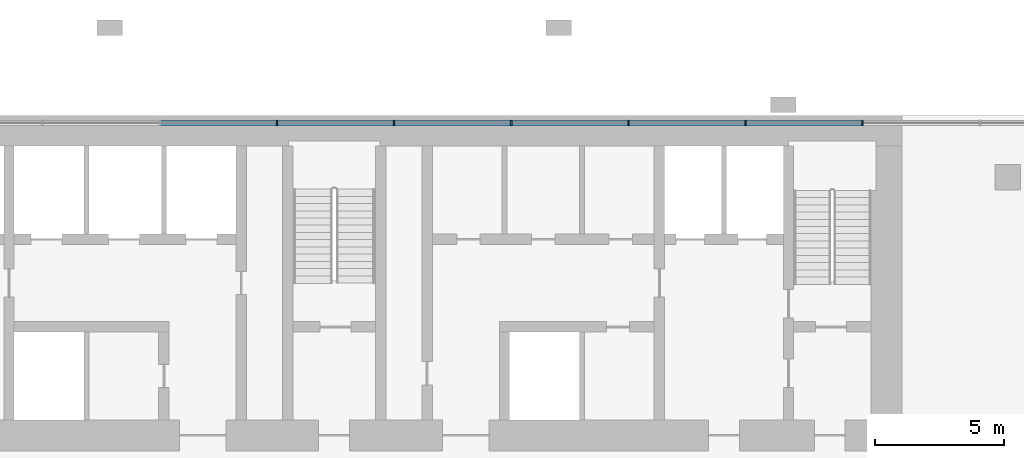
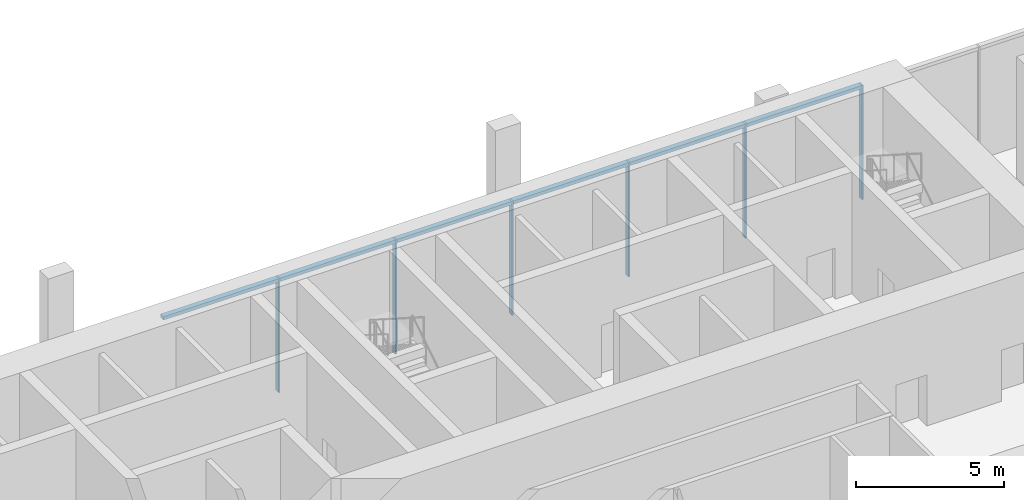
# One storey, part 8 of 22: 12 members, 1 element without a shape of its own.
"""IFC4 building model written with IfcOpenShell, lengths in metres."""

from ifc_helpers import new_model, si_unit, direction, frame, origin, origin_2d, place, context, subcontext, project, spatial, rectangle, extrude, material, material_profile, profile_set, type_object, element, aggregate, save


model = new_model("IFC4")

# Units and contexts
model_context = context("Model", 3, precision=1e-05, world=origin(), true_north=direction((0.0, 1.0)))
body_context = subcontext(model_context, "Body", "Model", "MODEL_VIEW")
ifc_project = project(units=[si_unit("LENGTHUNIT", "METRE"), si_unit("AREAUNIT", "SQUARE_METRE"), si_unit("VOLUMEUNIT", "CUBIC_METRE"), si_unit("PLANEANGLEUNIT", "RADIAN"), si_unit("MASSUNIT", "GRAM", prefix="KILO")], contexts=[model_context])

# Site, building, storey
site_placement = place(None, origin())
site = spatial("IfcSite", under=ifc_project, at=site_placement, CompositionType="ELEMENT")
building_placement = place(site_placement, origin())
building = spatial("IfcBuilding", under=site, at=building_placement, Name="Bicima Exchange Tower", CompositionType="ELEMENT")
storey_placement = place(building_placement, frame((0.0, 0.0, 20.0)))
storey = spatial("IfcBuildingStorey", under=building, at=storey_placement, Name="L03", CompositionType="ELEMENT", Elevation=20.0)

# Curtain wall, members
ifc_material = material(Name="Anodised bronze aluminium", Category="aluminium")
curtain_wall_type = type_object("IfcCurtainWallType", Name="Lobby glazing", PredefinedType="NOTDEFINED", material=ifc_material)
curtain_wall_placement = place(storey_placement, origin())
curtain_wall = element("IfcCurtainWall", 1, at=curtain_wall_placement, inside=storey, type_object=curtain_wall_type, Name="Podium glazing L03 north 1", PredefinedType="NOTDEFINED")
ifc_material_profile_1 = material_profile(ifc_material, rectangle(XDim=0.199951171875, YDim=0.06005859375, at=origin_2d()))
ifc_profile_set_1 = profile_set([ifc_material_profile_1], Name="Anodised bronze aluminium")
member_type_1 = type_object("IfcMemberType", Name="Lobby glazing mullion 60 x 200", PredefinedType="MULLION", material=ifc_profile_set_1)
member_1_placement = place(storey_placement, frame((20.475341796875, -0.300048828125, 0.0), z_axis=(0.0, 0.0, 1.0), x_axis=(0.0, -1.0, 0.0)))
member_1 = element("IfcMember", 2, at=member_1_placement, type_object=member_type_1, Name="Lobby glazing mullion 6", PredefinedType="MULLION", context=body_context, shape_type="SweptSolid", body=[
    extrude(rectangle(XDim=0.199951171875, YDim=0.06005859375, at=origin_2d()), origin(), (0.0, 0.0, 1.0), 4.699951171875),
])
member_2_placement = place(storey_placement, frame((15.936279296875, -0.300048828125, 0.0), z_axis=(0.0, 0.0, 1.0), x_axis=(0.0, -1.0, 0.0)))
member_2 = element("IfcMember", 3, at=member_2_placement, type_object=member_type_1, Name="Lobby glazing mullion 7", PredefinedType="MULLION", context=body_context, shape_type="SweptSolid", body=[
    extrude(rectangle(XDim=0.199951171875, YDim=0.06005859375, at=origin_2d()), origin(), (0.0, 0.0, 1.0), 4.699951171875),
])
member_3_placement = place(storey_placement, frame((11.3974609375, -0.300048828125, 0.0), z_axis=(0.0, 0.0, 1.0), x_axis=(0.0, -1.0, 0.0)))
member_3 = element("IfcMember", 4, at=member_3_placement, type_object=member_type_1, Name="Lobby glazing mullion 8", PredefinedType="MULLION", context=body_context, shape_type="SweptSolid", body=[
    extrude(rectangle(XDim=0.199951171875, YDim=0.06005859375, at=origin_2d()), origin(), (0.0, 0.0, 1.0), 4.699951171875),
])
member_4_placement = place(storey_placement, frame((6.8583984375, -0.300048828125, 0.0), z_axis=(0.0, 0.0, 1.0), x_axis=(0.0, -1.0, 0.0)))
member_4 = element("IfcMember", 5, at=member_4_placement, type_object=member_type_1, Name="Lobby glazing mullion 9", PredefinedType="MULLION", context=body_context, shape_type="SweptSolid", body=[
    extrude(rectangle(XDim=0.199951171875, YDim=0.06005859375, at=origin_2d()), origin(), (0.0, 0.0, 1.0), 4.699951171875),
])
member_5_placement = place(storey_placement, frame((2.319580078125, -0.300048828125, 0.0), z_axis=(0.0, 0.0, 1.0), x_axis=(0.0, -1.0, 0.0)))
member_5 = element("IfcMember", 6, at=member_5_placement, type_object=member_type_1, Name="Lobby glazing mullion 10", PredefinedType="MULLION", context=body_context, shape_type="SweptSolid", body=[
    extrude(rectangle(XDim=0.199951171875, YDim=0.06005859375, at=origin_2d()), origin(), (0.0, 0.0, 1.0), 4.699951171875),
])
member_6_placement = place(storey_placement, frame((-2.219482421875, -0.300048828125, 0.0), z_axis=(0.0, 0.0, 1.0), x_axis=(0.0, -1.0, 0.0)))
member_6 = element("IfcMember", 7, at=member_6_placement, type_object=member_type_1, Name="Lobby glazing mullion 11", PredefinedType="MULLION", context=body_context, shape_type="SweptSolid", body=[
    extrude(rectangle(XDim=0.199951171875, YDim=0.06005859375, at=origin_2d()), origin(), (0.0, 0.0, 1.0), 4.699951171875),
])
ifc_material_profile_2 = material_profile(ifc_material, rectangle(XDim=0.199951171875, YDim=0.139892578125, at=origin_2d()))
ifc_profile_set_2 = profile_set([ifc_material_profile_2], Name="Anodised bronze aluminium")
member_type_2 = type_object("IfcMemberType", Name="Lobby glazing transom 140 x 200", PredefinedType="USERDEFINED", material=ifc_profile_set_2)
member_7_placement = place(storey_placement, frame((20.4453125, -0.300048828125, 4.6298828125), z_axis=(-1.0, 0.0, 0.0), x_axis=(0.0, -1.0, 0.0)))
member_7 = element("IfcMember", 8, at=member_7_placement, type_object=member_type_2, Name="Lobby glazing transom 6.1", ObjectType="TRANSOM", PredefinedType="USERDEFINED", context=body_context, shape_type="SweptSolid", body=[
    extrude(rectangle(XDim=0.199951171875, YDim=0.139892578125, at=origin_2d()), origin(), (0.0, 0.0, 1.0), 4.47900390625),
])
member_8_placement = place(storey_placement, frame((15.90625, -0.300048828125, 4.6298828125), z_axis=(-1.0, 0.0, 0.0), x_axis=(0.0, -1.0, 0.0)))
member_8 = element("IfcMember", 9, at=member_8_placement, type_object=member_type_2, Name="Lobby glazing transom 7.1", ObjectType="TRANSOM", PredefinedType="USERDEFINED", context=body_context, shape_type="SweptSolid", body=[
    extrude(rectangle(XDim=0.199951171875, YDim=0.139892578125, at=origin_2d()), origin(), (0.0, 0.0, 1.0), 4.478759765625),
])
member_9_placement = place(storey_placement, frame((11.367431640625, -0.300048828125, 4.6298828125), z_axis=(-1.0, 0.0, 0.0), x_axis=(0.0, -1.0, 0.0)))
member_9 = element("IfcMember", 10, at=member_9_placement, type_object=member_type_2, Name="Lobby glazing transom 8.1", ObjectType="TRANSOM", PredefinedType="USERDEFINED", context=body_context, shape_type="SweptSolid", body=[
    extrude(rectangle(XDim=0.199951171875, YDim=0.139892578125, at=origin_2d()), origin(), (0.0, 0.0, 1.0), 4.47900390625),
])
member_10_placement = place(storey_placement, frame((6.828369140625, -0.300048828125, 4.6298828125), z_axis=(-1.0, 0.0, 0.0), x_axis=(0.0, -1.0, 0.0)))
member_10 = element("IfcMember", 11, at=member_10_placement, type_object=member_type_2, Name="Lobby glazing transom 9.1", ObjectType="TRANSOM", PredefinedType="USERDEFINED", context=body_context, shape_type="SweptSolid", body=[
    extrude(rectangle(XDim=0.199951171875, YDim=0.139892578125, at=origin_2d()), origin(), (0.0, 0.0, 1.0), 4.478759765625),
])
member_11_placement = place(storey_placement, frame((2.28955078125, -0.300048828125, 4.6298828125), z_axis=(-1.0, 0.0, 0.0), x_axis=(0.0, -1.0, 0.0)))
member_11 = element("IfcMember", 12, at=member_11_placement, type_object=member_type_2, Name="Lobby glazing transom 10.1", ObjectType="TRANSOM", PredefinedType="USERDEFINED", context=body_context, shape_type="SweptSolid", body=[
    extrude(rectangle(XDim=0.199951171875, YDim=0.139892578125, at=origin_2d()), origin(), (0.0, 0.0, 1.0), 4.47900390625),
])
member_12_placement = place(storey_placement, frame((-2.24951171875, -0.300048828125, 4.6298828125), z_axis=(-1.0, 0.0, 0.0), x_axis=(0.0, -1.0, 0.0)))
member_12 = element("IfcMember", 13, at=member_12_placement, type_object=member_type_2, Name="Lobby glazing transom 11.1", ObjectType="TRANSOM", PredefinedType="USERDEFINED", context=body_context, shape_type="SweptSolid", body=[
    extrude(rectangle(XDim=0.199951171875, YDim=0.139892578125, at=origin_2d()), origin(), (0.0, 0.0, 1.0), 4.47900390625),
])
aggregate(curtain_wall, [member_1, member_2, member_3, member_4, member_5, member_6, member_7, member_8, member_9, member_10, member_11, member_12])

save(model, "model.ifc")
